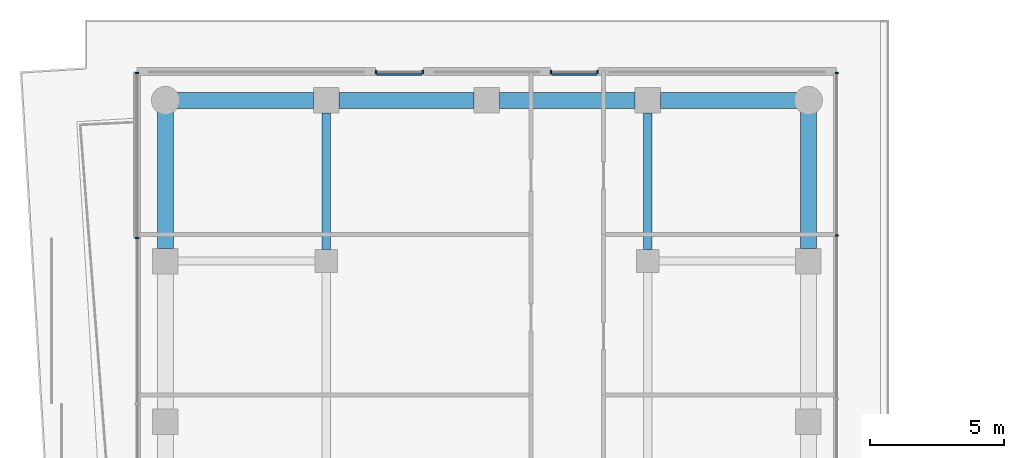
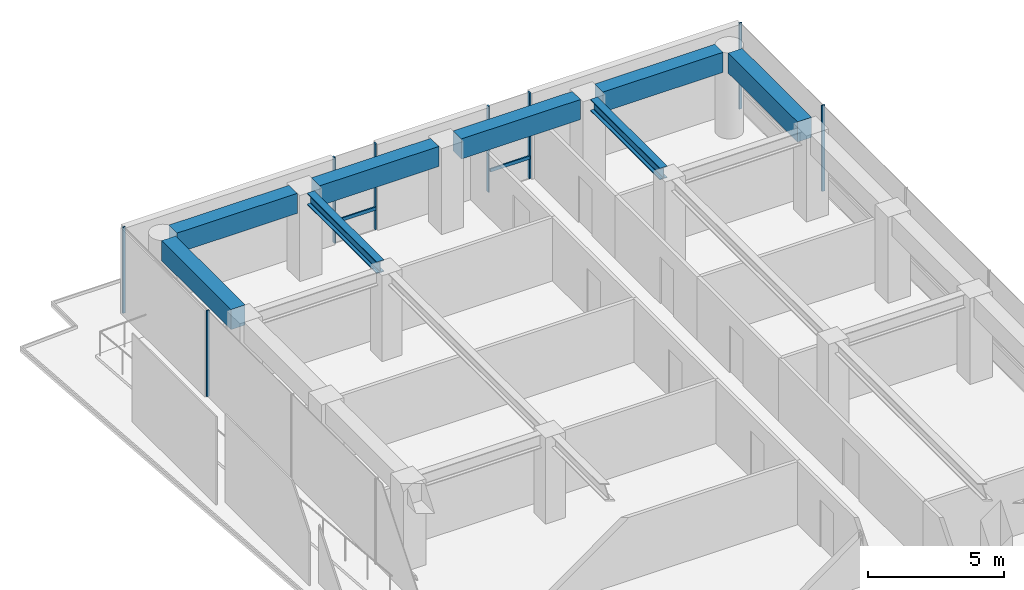
# One storey, part 21 of 29: 10 members, 8 beams, 4 elements without a shape of their own.
"""IFC4 building model written with IfcOpenShell, lengths in metres."""

from ifc_helpers import new_model, si_unit, direction, frame, origin, origin_2d, place, context, subcontext, project, spatial, rectangle, i_section, extrude, material, layer, layer_set, material_profile, profile_set, type_object, element, aggregate, save


model = new_model("IFC4")

# Units and contexts
model_context = context("Model", 3, precision=1e-05, world=origin(), true_north=direction((0.0, 1.0)))
body_context = subcontext(model_context, "Body", "Model", "MODEL_VIEW")
ifc_project = project(units=[si_unit("LENGTHUNIT", "METRE"), si_unit("AREAUNIT", "SQUARE_METRE"), si_unit("VOLUMEUNIT", "CUBIC_METRE"), si_unit("PLANEANGLEUNIT", "RADIAN"), si_unit("MASSUNIT", "GRAM", prefix="KILO")], contexts=[model_context])

# Site, building, storey
site_placement = place(None, origin())
site = spatial("IfcSite", under=ifc_project, at=site_placement, CompositionType="ELEMENT")
building_placement = place(site_placement, origin())
building = spatial("IfcBuilding", under=site, at=building_placement, Name="Welwitschia Terrace Campus", CompositionType="ELEMENT")
storey_placement = place(building_placement, frame((0.0, 0.0, 66.800048828125)))
storey = spatial("IfcBuildingStorey", under=building, at=storey_placement, Name="L15", CompositionType="ELEMENT", Elevation=66.800048828125)

# Beams
ifc_material_1 = material(Name="Steel S355", Category="steel")
ifc_material_profile_1 = material_profile(ifc_material_1, i_section(OverallWidth=0.305908203125, OverallDepth=0.52392578125, WebThickness=0.02099609375, FlangeThickness=0.0400390625, FilletRadius=0.027099609375, at=origin_2d()))
ifc_profile_set_1 = profile_set([ifc_material_profile_1], Name="Steel S355")
beam_type_1 = type_object("IfcBeamType", Name="Interior girder HE 500 M", PredefinedType="BEAM", material=ifc_profile_set_1)
for number, where, z_axis, x_axis, name in (
    (1, (6.0, 56.425537109375, 3.587890625), (0.0, 1.0, 0.0), (-1.0, 0.0, 0.0), "Girder GB2"),
    (2, (18.0, 56.425537109375, 3.587890625), (0.0, 1.0, 0.0), (-1.0, 0.0, 0.0), "Girder GB2"),
):
    element("IfcBeam", number, at=place(storey_placement, frame(where, z_axis=z_axis, x_axis=x_axis)), inside=storey, type_object=beam_type_1, Name=name, PredefinedType="BEAM", context=body_context, shape_type="SweptSolid", body=[
        extrude(i_section(OverallWidth=0.305908203125, OverallDepth=0.52392578125, WebThickness=0.02099609375, FlangeThickness=0.0400390625, FilletRadius=0.027099609375, at=origin_2d()), origin(), (0.0, 0.0, 1.0), 5.10888671875),
    ])

# Curtain wall, members
ifc_material_2 = material(Name="Bronze anodised aluminium", Category="aluminium")
ifc_layer = layer(ifc_material_2, 0.1201171875)
ifc_layer_set = layer_set([ifc_layer], Name="Bronze anodised aluminium")
curtain_wall_type = type_object("IfcCurtainWallType", Name="Curtain wall CW2 tower 6000", PredefinedType="NOTDEFINED", material=ifc_layer_set)
curtain_wall_1_placement = place(storey_placement, origin())
curtain_wall_1 = element("IfcCurtainWall", 3, at=curtain_wall_1_placement, inside=storey, type_object=curtain_wall_type, Name="CW L15.10.0", PredefinedType="NOTDEFINED")
ifc_material_3 = material(Name="Bronze anodised aluminium", Category="aluminium")
ifc_material_profile_2 = material_profile(ifc_material_3, rectangle(XDim=0.1201171875, YDim=0.06005859375, at=origin_2d()))
ifc_profile_set_2 = profile_set([ifc_material_profile_2], Name="Bronze anodised aluminium")
member_type_1 = type_object("IfcMemberType", Name="Mullion 60x120", PredefinedType="MULLION", material=ifc_profile_set_2)
member_1_placement = place(storey_placement, frame((25.05810546875, 56.95458984375, 0.0), z_axis=(0.0, 0.0, 1.0), x_axis=(-1.0, 0.0, 0.0)))
member_1 = element("IfcMember", 4, at=member_1_placement, type_object=member_type_1, Name="Mullion L15.10.0.5", PredefinedType="MULLION", context=body_context, shape_type="SweptSolid", body=[
    extrude(rectangle(XDim=0.1201171875, YDim=0.06005859375, at=origin_2d()), origin(), (0.0, 0.0, 1.0), 3.849853515625),
])
member_2_placement = place(storey_placement, frame((25.05810546875, 63.028076171875, 0.0), z_axis=(0.0, 0.0, 1.0), x_axis=(-1.0, 0.0, 0.0)))
member_2 = element("IfcMember", 5, at=member_2_placement, type_object=member_type_1, Name="Mullion L15.10.0.6", PredefinedType="MULLION", context=body_context, shape_type="SweptSolid", body=[
    extrude(rectangle(XDim=0.1201171875, YDim=0.06005859375, at=origin_2d()), origin(), (0.0, 0.0, 1.0), 3.849853515625),
])
aggregate(curtain_wall_1, [member_1, member_2])

curtain_wall_2_placement = place(storey_placement, origin())
curtain_wall_2 = element("IfcCurtainWall", 6, at=curtain_wall_2_placement, inside=storey, type_object=curtain_wall_type, Name="CW L15.11.S0", PredefinedType="NOTDEFINED")
member_3_placement = place(storey_placement, frame((16.134521484375, 63.05810546875, 0.0), z_axis=(0.0, 0.0, 1.0), x_axis=(0.0, -1.0, 0.0)))
member_3 = element("IfcMember", 7, at=member_3_placement, type_object=member_type_1, Name="Mullion L15.11.S0.0", PredefinedType="MULLION", context=body_context, shape_type="SweptSolid", body=[
    extrude(rectangle(XDim=0.1201171875, YDim=0.06005859375, at=origin_2d()), origin(), (0.0, 0.0, 1.0), 3.849853515625),
])
member_4_placement = place(storey_placement, frame((14.39453125, 63.05810546875, 0.0), z_axis=(0.0, 0.0, 1.0), x_axis=(0.0, -1.0, 0.0)))
member_4 = element("IfcMember", 8, at=member_4_placement, type_object=member_type_1, Name="Mullion L15.11.S0.1", PredefinedType="MULLION", context=body_context, shape_type="SweptSolid", body=[
    extrude(rectangle(XDim=0.1201171875, YDim=0.06005859375, at=origin_2d()), origin(), (0.0, 0.0, 1.0), 3.849853515625),
])

curtain_wall_3_placement = place(storey_placement, origin())
curtain_wall_3 = element("IfcCurtainWall", 9, at=curtain_wall_3_placement, inside=storey, type_object=curtain_wall_type, Name="CW L15.11.S1", PredefinedType="NOTDEFINED")
member_5_placement = place(storey_placement, frame((9.60546875, 63.05810546875, 0.0), z_axis=(0.0, 0.0, 1.0), x_axis=(0.0, -1.0, 0.0)))
member_5 = element("IfcMember", 10, at=member_5_placement, type_object=member_type_1, Name="Mullion L15.11.S1.0", PredefinedType="MULLION", context=body_context, shape_type="SweptSolid", body=[
    extrude(rectangle(XDim=0.1201171875, YDim=0.06005859375, at=origin_2d()), origin(), (0.0, 0.0, 1.0), 3.849853515625),
])
member_6_placement = place(storey_placement, frame((7.865478515625, 63.05810546875, 0.0), z_axis=(0.0, 0.0, 1.0), x_axis=(0.0, -1.0, 0.0)))
member_6 = element("IfcMember", 11, at=member_6_placement, type_object=member_type_1, Name="Mullion L15.11.S1.1", PredefinedType="MULLION", context=body_context, shape_type="SweptSolid", body=[
    extrude(rectangle(XDim=0.1201171875, YDim=0.06005859375, at=origin_2d()), origin(), (0.0, 0.0, 1.0), 3.849853515625),
])

curtain_wall_4_placement = place(storey_placement, origin())
curtain_wall_4 = element("IfcCurtainWall", 12, at=curtain_wall_4_placement, inside=storey, type_object=curtain_wall_type, Name="CW L15.12.0", PredefinedType="NOTDEFINED")
member_7_placement = place(storey_placement, frame((-1.05810546875, 63.028076171875, 0.0), z_axis=(0.0, 0.0, 1.0), x_axis=(1.0, 0.0, 0.0)))
member_7 = element("IfcMember", 13, at=member_7_placement, type_object=member_type_1, Name="Mullion L15.12.0.0", PredefinedType="MULLION", context=body_context, shape_type="SweptSolid", body=[
    extrude(rectangle(XDim=0.1201171875, YDim=0.06005859375, at=origin_2d()), origin(), (0.0, 0.0, 1.0), 3.849853515625),
])
member_8_placement = place(storey_placement, frame((-1.05810546875, 56.8671875, 0.0), z_axis=(0.0, 0.0, 1.0), x_axis=(1.0, 0.0, 0.0)))
member_8 = element("IfcMember", 14, at=member_8_placement, type_object=member_type_1, Name="Mullion L15.12.0.1", PredefinedType="MULLION", context=body_context, shape_type="SweptSolid", body=[
    extrude(rectangle(XDim=0.1201171875, YDim=0.06005859375, at=origin_2d()), origin(), (0.0, 0.0, 1.0), 3.849853515625),
])
aggregate(curtain_wall_4, [member_7, member_8])

# Beams
ifc_material_4 = material(Name="Concrete C60/75", Category="concrete")
ifc_material_profile_3 = material_profile(ifc_material_4, rectangle(XDim=0.60009765625, YDim=0.89990234375, at=origin_2d()))
ifc_profile_set_3 = profile_set([ifc_material_profile_3], Name="Concrete C60/75")
beam_type_2 = type_object("IfcBeamType", Name="Ring spandrel 600x900", PredefinedType="SPANDREL", material=ifc_profile_set_3)
for number, where, z_axis, x_axis, name in (
    (15, (24.0, 56.4755859375, 3.39990234375), (0.0, 1.0, 0.0), (-1.0, 0.0, 0.0), "Spandrel SP2"),
    (16, (23.568603515625, 62.0, 3.39990234375), (-1.0, 0.0, 0.0), (0.0, -1.0, 0.0), "Spandrel SP2"),
):
    element("IfcBeam", number, at=place(storey_placement, frame(where, z_axis=z_axis, x_axis=x_axis)), inside=storey, type_object=beam_type_2, Name=name, PredefinedType="SPANDREL", context=body_context, shape_type="SweptSolid", body=[
        extrude(rectangle(XDim=0.60009765625, YDim=0.89990234375, at=origin_2d()), origin(), (0.0, 0.0, 1.0), 5.093017578125),
    ])
for number, where, z_axis, x_axis, name in (
    (17, (17.5244140625, 62.0, 3.39990234375), (-1.0, 0.0, 0.0), (0.0, -1.0, 0.0), "Spandrel SP2"),
    (18, (11.5244140625, 62.0, 3.39990234375), (-1.0, 0.0, 0.0), (0.0, -1.0, 0.0), "Spandrel SP2"),
):
    element("IfcBeam", number, at=place(storey_placement, frame(where, z_axis=z_axis, x_axis=x_axis)), inside=storey, type_object=beam_type_2, Name=name, PredefinedType="SPANDREL", context=body_context, shape_type="SweptSolid", body=[
        extrude(rectangle(XDim=0.60009765625, YDim=0.89990234375, at=origin_2d()), origin(), (0.0, 0.0, 1.0), 5.048828125),
    ])
for number, where, z_axis, x_axis, name in (
    (19, (5.5244140625, 62.0, 3.39990234375), (-1.0, 0.0, 0.0), (0.0, -1.0, 0.0), "Spandrel SP2"),
    (20, (0.0, 61.568603515625, 3.39990234375), (0.0, -1.0, 0.0), (1.0, 0.0, 0.0), "Spandrel SP2"),
):
    element("IfcBeam", number, at=place(storey_placement, frame(where, z_axis=z_axis, x_axis=x_axis)), inside=storey, type_object=beam_type_2, Name=name, PredefinedType="SPANDREL", context=body_context, shape_type="SweptSolid", body=[
        extrude(rectangle(XDim=0.60009765625, YDim=0.89990234375, at=origin_2d()), origin(), (0.0, 0.0, 1.0), 5.093017578125),
    ])

# Member
ifc_material_5 = material(Name="Bronze anodised aluminium", Category="aluminium")
ifc_material_profile_4 = material_profile(ifc_material_5, rectangle(XDim=0.06005859375, YDim=0.14990234375, at=origin_2d()))
ifc_profile_set_4 = profile_set([ifc_material_profile_4], Name="Bronze anodised aluminium")
member_type_2 = type_object("IfcMemberType", Name="Transom 60x150", PredefinedType="USERDEFINED", material=ifc_profile_set_4)
member_9_placement = place(storey_placement, frame((16.1044921875, 62.968017578125, 1.0), z_axis=(-1.0, 0.0, 0.0), x_axis=(0.0, -1.0, 0.0)))
member_9 = element("IfcMember", 21, at=member_9_placement, type_object=member_type_2, Name="Transom L15.11.S0", ObjectType="TRANSOM", PredefinedType="USERDEFINED", context=body_context, shape_type="SweptSolid", body=[
    extrude(rectangle(XDim=0.06005859375, YDim=0.14990234375, at=origin_2d()), origin(), (0.0, 0.0, 1.0), 1.679931640625),
])

aggregate(curtain_wall_2, [member_3, member_4, member_9])

member_10_placement = place(storey_placement, frame((9.575439453125, 62.968017578125, 1.0), z_axis=(-1.0, 0.0, 0.0), x_axis=(0.0, -1.0, 0.0)))
member_10 = element("IfcMember", 22, at=member_10_placement, type_object=member_type_2, Name="Transom L15.11.S1", ObjectType="TRANSOM", PredefinedType="USERDEFINED", context=body_context, shape_type="SweptSolid", body=[
    extrude(rectangle(XDim=0.06005859375, YDim=0.14990234375, at=origin_2d()), origin(), (0.0, 0.0, 1.0), 1.679931640625),
])

aggregate(curtain_wall_3, [member_5, member_6, member_10])

save(model, "model.ifc")
